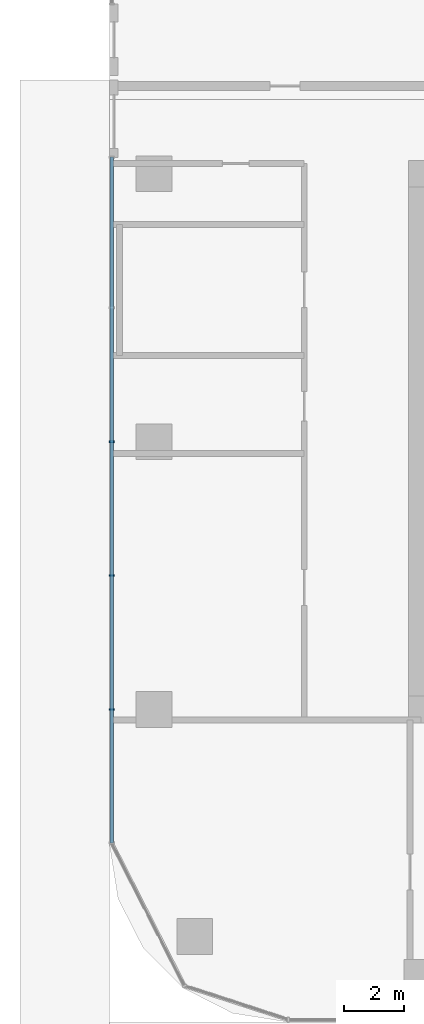
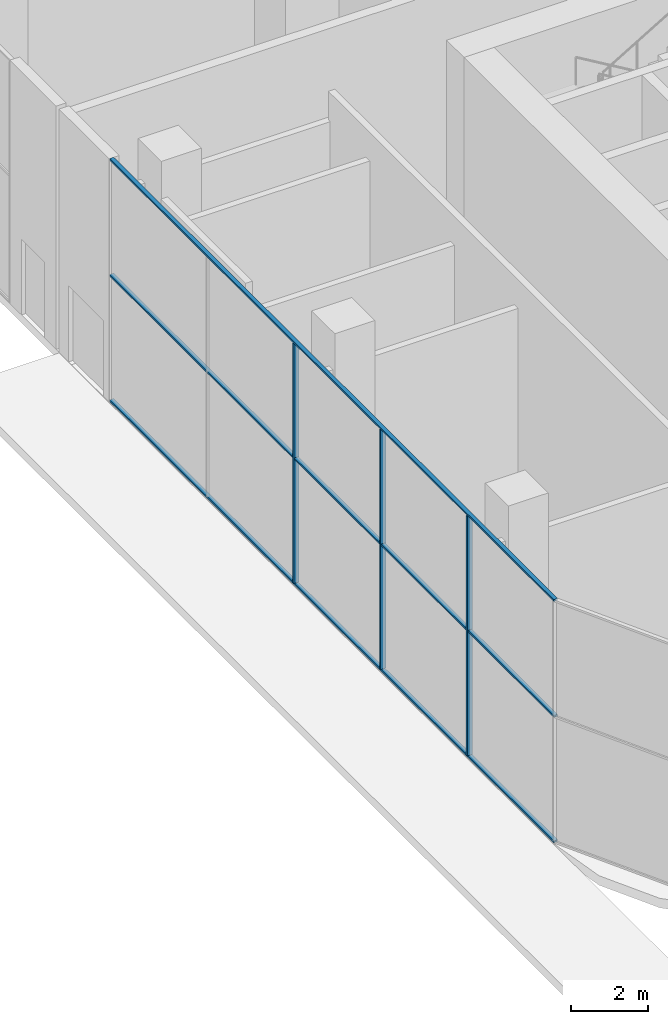
# One storey, part 5 of 54: 6 members, 1 element without a shape of its own.
"""IFC4 building model written with IfcOpenShell, lengths in metres."""

from ifc_helpers import new_model, si_unit, direction, frame, origin, origin_2d, place, context, subcontext, project, spatial, rectangle, extrude, material, material_profile, profile_set, type_object, element, aggregate, save


model = new_model("IFC4")

# Units and contexts
model_context = context("Model", 3, precision=1e-05, world=origin(), true_north=direction((0.0, 1.0)))
body_context = subcontext(model_context, "Body", "Model", "MODEL_VIEW")
ifc_project = project(units=[si_unit("LENGTHUNIT", "METRE"), si_unit("AREAUNIT", "SQUARE_METRE"), si_unit("VOLUMEUNIT", "CUBIC_METRE"), si_unit("PLANEANGLEUNIT", "RADIAN"), si_unit("MASSUNIT", "GRAM", prefix="KILO")], contexts=[model_context])

# Site, building, storey
site_placement = place(None, origin())
site = spatial("IfcSite", under=ifc_project, at=site_placement, CompositionType="ELEMENT")
building_placement = place(site_placement, origin())
building = spatial("IfcBuilding", under=site, at=building_placement, Name="Ogive Portal Towers", CompositionType="ELEMENT")
storey_placement = place(building_placement, origin())
storey = spatial("IfcBuildingStorey", under=building, at=storey_placement, Name="L00", CompositionType="ELEMENT", Elevation=0.0)

# Curtain wall, members
ifc_material_1 = material(Name="Glass, clear low-iron insulated glazing", Category="glass")
curtain_wall_type = type_object("IfcCurtainWallType", Name="CW PODIUM SHOPFRONT", PredefinedType="NOTDEFINED", material=ifc_material_1)
curtain_wall_placement = place(storey_placement, origin())
curtain_wall = element("IfcCurtainWall", 1, at=curtain_wall_placement, inside=storey, type_object=curtain_wall_type, Name="A:L00:f17:cw3", PredefinedType="NOTDEFINED")
ifc_material_2 = material(Name="Aluminium 6063 anodised", Category="aluminium")
ifc_material_profile_1 = material_profile(ifc_material_2, rectangle(XDim=0.159912109375, YDim=0.06005859375, at=origin_2d()), Name="AL 60x160")
ifc_profile_set_1 = profile_set([ifc_material_profile_1], Name="Aluminium 6063 anodised")
member_type_1 = type_object("IfcMemberType", Name="CW MULLION 60x160", PredefinedType="MULLION", material=ifc_profile_set_1)
member_1_placement = place(storey_placement, frame((21.080078125, 30.5, 0.06005859375), z_axis=(0.0, 0.0, 1.0), x_axis=(1.0, 0.0, 0.0)))
member_1 = element("IfcMember", 2, at=member_1_placement, type_object=member_type_1, Name="mullion", PredefinedType="MULLION", context=body_context, shape_type="SweptSolid", body=[
    extrude(rectangle(XDim=0.159912109375, YDim=0.06005859375, at=origin_2d()), origin(), (0.0, 0.0, 1.0), 7.579833984375),
])
member_2_placement = place(storey_placement, frame((21.080078125, 26.0, 0.06005859375), z_axis=(0.0, 0.0, 1.0), x_axis=(1.0, 0.0, 0.0)))
member_2 = element("IfcMember", 3, at=member_2_placement, type_object=member_type_1, Name="mullion", PredefinedType="MULLION", context=body_context, shape_type="SweptSolid", body=[
    extrude(rectangle(XDim=0.159912109375, YDim=0.06005859375, at=origin_2d()), origin(), (0.0, 0.0, 1.0), 7.579833984375),
])
member_3_placement = place(storey_placement, frame((21.080078125, 21.5, 0.06005859375), z_axis=(0.0, 0.0, 1.0), x_axis=(1.0, 0.0, 0.0)))
member_3 = element("IfcMember", 4, at=member_3_placement, type_object=member_type_1, Name="mullion", PredefinedType="MULLION", context=body_context, shape_type="SweptSolid", body=[
    extrude(rectangle(XDim=0.159912109375, YDim=0.06005859375, at=origin_2d()), origin(), (0.0, 0.0, 1.0), 7.579833984375),
])
ifc_material_profile_2 = material_profile(ifc_material_2, rectangle(XDim=0.1201171875, YDim=0.06005859375, at=origin_2d()), Name="AL 120x60")
ifc_profile_set_2 = profile_set([ifc_material_profile_2], Name="Aluminium 6063 anodised")
member_type_2 = type_object("IfcMemberType", Name="CW TRANSOM 60x120", PredefinedType="USERDEFINED", material=ifc_profile_set_2)
member_4_placement = place(storey_placement, frame((21.080078125, 40.0576171875, 0.030029296875), z_axis=(0.0, -1.0, 0.0), x_axis=(1.0, 0.0, 0.0)))
member_4 = element("IfcMember", 5, at=member_4_placement, type_object=member_type_2, Name="transom", ObjectType="TRANSOM", PredefinedType="USERDEFINED", context=body_context, shape_type="SweptSolid", body=[
    extrude(rectangle(XDim=0.1201171875, YDim=0.06005859375, at=origin_2d()), origin(), (0.0, 0.0, 1.0), 23.038330078125),
])
member_5_placement = place(storey_placement, frame((21.080078125, 40.0576171875, 4.0), z_axis=(0.0, -1.0, 0.0), x_axis=(1.0, 0.0, 0.0)))
member_5 = element("IfcMember", 6, at=member_5_placement, type_object=member_type_2, Name="transom", ObjectType="TRANSOM", PredefinedType="USERDEFINED", context=body_context, shape_type="SweptSolid", body=[
    extrude(rectangle(XDim=0.1201171875, YDim=0.06005859375, at=origin_2d()), origin(), (0.0, 0.0, 1.0), 23.038330078125),
])
member_6_placement = place(storey_placement, frame((21.080078125, 40.0576171875, 7.669921875), z_axis=(0.0, -1.0, 0.0), x_axis=(1.0, 0.0, 0.0)))
member_6 = element("IfcMember", 7, at=member_6_placement, type_object=member_type_2, Name="transom", ObjectType="TRANSOM", PredefinedType="USERDEFINED", context=body_context, shape_type="SweptSolid", body=[
    extrude(rectangle(XDim=0.1201171875, YDim=0.06005859375, at=origin_2d()), origin(), (0.0, 0.0, 1.0), 23.038330078125),
])
aggregate(curtain_wall, [member_4, member_5, member_6, member_1, member_2, member_3])

save(model, "model.ifc")
